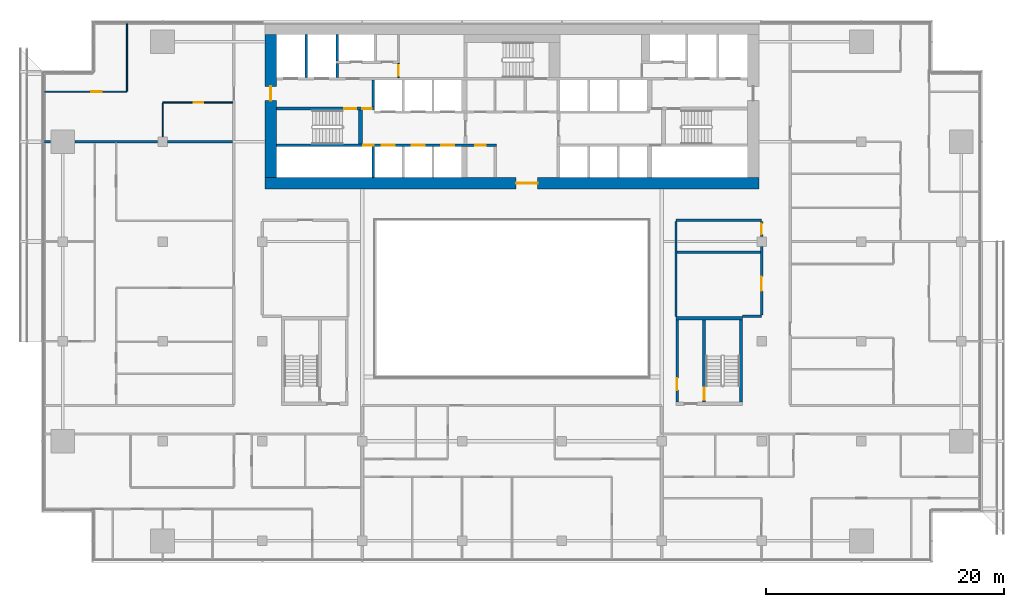
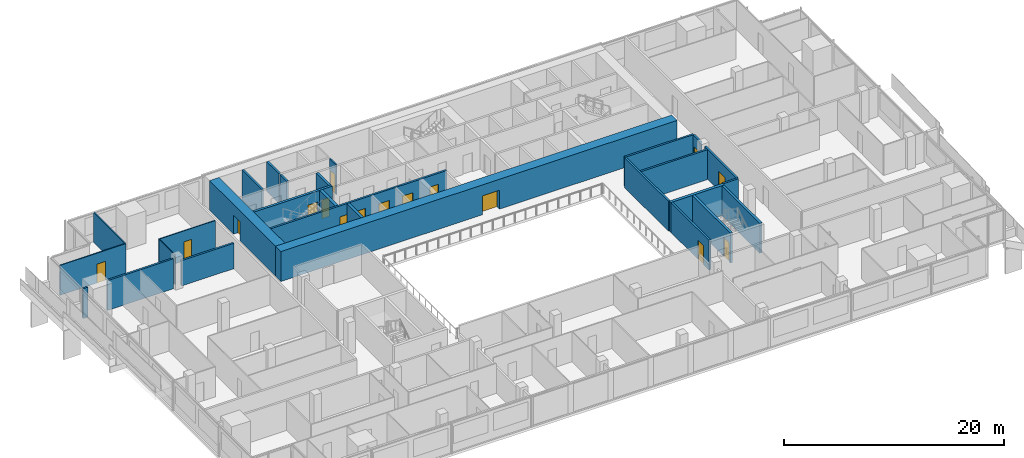
# One storey, part 18 of 25: 28 walls, 16 doors, 16 openings.
"""IFC4 building model written with IfcOpenShell, lengths in metres."""

from ifc_helpers import new_model, si_unit, direction, frame, frame_2d, origin, place, context, subcontext, project, spatial, rectangle, extrude, material, layer, layer_set, type_object, element, fill, save


model = new_model("IFC4")

# Units and contexts
model_context = context("Model", 3, precision=1e-05, world=origin(), true_north=direction((0.0, 1.0)))
body_context = subcontext(model_context, "Body", "Model", "MODEL_VIEW")
ifc_project = project(units=[si_unit("LENGTHUNIT", "METRE"), si_unit("AREAUNIT", "SQUARE_METRE"), si_unit("VOLUMEUNIT", "CUBIC_METRE"), si_unit("PLANEANGLEUNIT", "RADIAN"), si_unit("MASSUNIT", "GRAM", prefix="KILO")], contexts=[model_context])

# Site, building, storey
site_placement = place(None, origin())
site = spatial("IfcSite", under=ifc_project, at=site_placement, CompositionType="ELEMENT")
building_placement = place(site_placement, origin())
building = spatial("IfcBuilding", under=site, at=building_placement, Name="Saffron Gate Tower", CompositionType="ELEMENT")
storey_placement = place(building_placement, frame((0.0, 0.0, 131.25)))
storey = spatial("IfcBuildingStorey", under=building, at=storey_placement, Name="L31", CompositionType="ELEMENT", Elevation=131.25)

# Wall, opening, door
ifc_material_1 = material(Name="Gypsum board partition on steel studs", Category="steel")
ifc_layer_1 = layer(ifc_material_1, 0.199951171875)
ifc_layer_set_1 = layer_set([ifc_layer_1], Name="CW10 Core partition 200")
wall_type_1 = type_object("IfcWallType", Name="CW10 Core partition 200", PredefinedType="PARTITIONING", material=ifc_layer_set_1)
wall_1_placement = place(storey_placement, frame((101.5, 43.5, 0.0), z_axis=(0.0, 0.0, 1.0), x_axis=(0.0, 1.0, 0.0)))
wall_1 = element("IfcWall", 1, at=wall_1_placement, inside=storey, type_object=wall_type_1, Name="Wall CW10-L31-E-2", PredefinedType="PARTITIONING", context=body_context, shape_type="SweptSolid", body=[
    extrude(rectangle(XDim=6.89990234375, YDim=0.199951171875, at=frame_2d((3.449951171875, 0.0))), origin(), (0.0, 0.0, 1.0), 3.320068359375),
])
opening_1_placement = place(wall_1_placement, frame((1.0, 0.0, 0.0)))
opening_1 = element("IfcOpeningElement", 2, at=opening_1_placement, cuts=wall_1, Name="Opening CR-22", PredefinedType="OPENING", context=body_context, shape_type="SweptSolid", body=[
    extrude(rectangle(XDim=1.0, YDim=2.10009765625, at=frame_2d((0.5, 1.050048828125))), frame((0.0, 0.10986328125, 0.0), z_axis=(0.0, -1.0, 0.0), x_axis=(1.0, 0.0, 0.0)), (0.0, 0.0, 1.0), 0.219970703125),
])
ifc_material_2 = material(Name="Steel fire door set", Category="steel")
door_type_1 = type_object("IfcDoorType", Name="CD4 Lobby door 1000x2100 EI 120", OperationType="NOTDEFINED", PredefinedType="DOOR", material=ifc_material_2)
door_1_placement = place(opening_1_placement, origin())
door_1 = element("IfcDoor", 3, at=door_1_placement, inside=storey, type_object=door_type_1, Name="DOOR CR-22", OperationType="SINGLE_SWING_LEFT", OverallHeight=2.10009765625, OverallWidth=1.0, PredefinedType="DOOR", context=body_context, shape_type="SweptSolid", body=[
    extrude(rectangle(XDim=1.0, YDim=2.10009765625, at=frame_2d((0.5, 1.050048828125))), frame((0.0, 0.02490234375, 0.0), z_axis=(0.0, -1.0, 0.0), x_axis=(1.0, 0.0, 0.0)), (0.0, 0.0, 1.0), 0.050048828125),
])
fill(opening_1, door_1)

ifc_material_3 = material(Name="Concrete C70", Category="concrete")
ifc_layer_2 = layer(ifc_material_3, 1.0)
ifc_layer_set_2 = layer_set([ifc_layer_2], Name="CW12 RC core wall 1000 C70")
wall_type_2 = type_object("IfcWallType", Name="CW12 RC core wall 1000 C70", PredefinedType="SOLIDWALL", material=ifc_layer_set_2)
wall_2_placement = place(storey_placement, frame((66.800048828125, 61.89990234375, 0.0), z_axis=(0.0, 0.0, 1.0), x_axis=(1.0, 0.0, 0.0)))
wall_2 = element("IfcWall", 4, at=wall_2_placement, inside=storey, type_object=wall_type_2, Name="Wall CW12-L31-1", PredefinedType="SOLIDWALL", context=body_context, shape_type="SweptSolid", body=[
    extrude(rectangle(XDim=41.599853515625, YDim=1.0, at=frame_2d((20.7998046875, 0.0))), origin(), (0.0, 0.0, 1.0), 3.320068359375),
])
opening_2_placement = place(wall_2_placement, frame((21.14990234375, 0.0, 0.0)))
opening_2 = element("IfcOpeningElement", 5, at=opening_2_placement, cuts=wall_2, Name="Opening CR-09", PredefinedType="OPENING", context=body_context, shape_type="SweptSolid", body=[
    extrude(rectangle(XDim=1.800048828125, YDim=2.10009765625, at=frame_2d((0.89990234375, 1.050048828125))), frame((0.0, 0.510009765625, 0.0), z_axis=(0.0, -1.0, 0.0), x_axis=(1.0, 0.0, 0.0)), (0.0, 0.0, 1.0), 1.02001953125),
])
door_type_2 = type_object("IfcDoorType", Name="CD1 Core entrance door 1800x2100 EI 120", OperationType="NOTDEFINED", PredefinedType="DOOR", material=ifc_material_2)
door_2_placement = place(opening_2_placement, origin())
door_2 = element("IfcDoor", 6, at=door_2_placement, inside=storey, type_object=door_type_2, Name="DOOR CR-09", OperationType="DOUBLE_DOOR_SINGLE_SWING", OverallHeight=2.10009765625, OverallWidth=1.800048828125, PredefinedType="DOOR", context=body_context, shape_type="SweptSolid", body=[
    extrude(rectangle(XDim=1.800048828125, YDim=2.10009765625, at=frame_2d((0.89990234375, 1.050048828125))), frame((0.0, 0.02490234375, 0.0), z_axis=(0.0, -1.0, 0.0), x_axis=(1.0, 0.0, 0.0)), (0.0, 0.0, 1.0), 0.050048828125),
])
fill(opening_2, door_2)

wall_3_placement = place(storey_placement, frame((67.300048828125, 62.39990234375, 0.0), z_axis=(0.0, 0.0, 1.0), x_axis=(0.0, 1.0, 0.0)))
wall_3 = element("IfcWall", 7, at=wall_3_placement, inside=storey, type_object=wall_type_2, Name="Wall CW12-L31-3", PredefinedType="SOLIDWALL", context=body_context, shape_type="SweptSolid", body=[
    extrude(rectangle(XDim=12.0, YDim=1.0, at=frame_2d((6.0, 0.0))), origin(), (0.0, 0.0, 1.0), 3.320068359375),
])
opening_3_placement = place(wall_3_placement, frame((6.449951171875, 0.0, 0.0)))
opening_3 = element("IfcOpeningElement", 8, at=opening_3_placement, cuts=wall_3, Name="Opening CR-10", PredefinedType="OPENING", context=body_context, shape_type="SweptSolid", body=[
    extrude(rectangle(XDim=1.199951171875, YDim=2.10009765625, at=frame_2d((0.60009765625, 1.050048828125))), frame((0.0, 0.510009765625, 0.0), z_axis=(0.0, -1.0, 0.0), x_axis=(1.0, 0.0, 0.0)), (0.0, 0.0, 1.0), 1.02001953125),
])
door_type_3 = type_object("IfcDoorType", Name="CD7 Core entrance door 1200x2100 EI 120", OperationType="NOTDEFINED", PredefinedType="DOOR", material=ifc_material_2)
door_3_placement = place(opening_3_placement, origin())
door_3 = element("IfcDoor", 9, at=door_3_placement, inside=storey, type_object=door_type_3, Name="DOOR CR-10", OperationType="SINGLE_SWING_LEFT", OverallHeight=2.10009765625, OverallWidth=1.199951171875, PredefinedType="DOOR", context=body_context, shape_type="SweptSolid", body=[
    extrude(rectangle(XDim=1.199951171875, YDim=2.10009765625, at=frame_2d((0.60009765625, 1.050048828125))), frame((0.0, 0.02490234375, 0.0), z_axis=(0.0, -1.0, 0.0), x_axis=(1.0, 0.0, 0.0)), (0.0, 0.0, 1.0), 0.050048828125),
])
fill(opening_3, door_3)

# Wall
ifc_layer_3 = layer(ifc_material_3, 0.25)
ifc_layer_set_3 = layer_set([ifc_layer_3], Name="CW2 RC core wall 250 C70")
wall_type_3 = type_object("IfcWallType", Name="CW2 RC core wall 250 C70", PredefinedType="SOLIDWALL", material=ifc_layer_set_3)
wall_4_placement = place(storey_placement, frame((75.925048828125, 62.39990234375, 0.0), z_axis=(0.0, 0.0, 1.0), x_axis=(0.0, 1.0, 0.0)))
element("IfcWall", 10, at=wall_4_placement, inside=storey, type_object=wall_type_3, Name="Wall CW2-L31-5", PredefinedType="SOLIDWALL", context=body_context, shape_type="SweptSolid", body=[
    extrude(rectangle(XDim=2.60009765625, YDim=0.25, at=frame_2d((1.300048828125, 0.0))), origin(), (0.0, 0.0, 1.0), 3.320068359375),
])

# Wall, openings, doors
wall_5_placement = place(storey_placement, frame((67.800048828125, 68.175048828125, 0.0), z_axis=(0.0, 0.0, 1.0), x_axis=(1.0, 0.0, 0.0)))
wall_5 = element("IfcWall", 11, at=wall_5_placement, inside=storey, type_object=wall_type_3, Name="Wall CW2-L31-30", PredefinedType="SOLIDWALL", context=body_context, shape_type="SweptSolid", body=[
    extrude(rectangle(XDim=8.25, YDim=0.25, at=frame_2d((4.125, 0.0))), origin(), (0.0, 0.0, 1.0), 3.320068359375),
])
opening_4_placement = place(wall_5_placement, frame((5.699951171875, 0.0, 0.0)))
opening_4 = element("IfcOpeningElement", 12, at=opening_4_placement, cuts=wall_5, Name="Opening CR-15", PredefinedType="OPENING", context=body_context, shape_type="SweptSolid", body=[
    extrude(rectangle(XDim=1.0, YDim=2.10009765625, at=frame_2d((0.5, 1.050048828125))), frame((0.0, 0.135009765625, 0.0), z_axis=(0.0, -1.0, 0.0), x_axis=(1.0, 0.0, 0.0)), (0.0, 0.0, 1.0), 0.27001953125),
])
opening_5_placement = place(wall_5_placement, frame((7.199951171875, 0.0, 0.0)))
opening_5 = element("IfcOpeningElement", 13, at=opening_5_placement, cuts=wall_5, Name="Opening CR-06", PredefinedType="OPENING", context=body_context, shape_type="SweptSolid", body=[
    extrude(rectangle(XDim=0.800048828125, YDim=2.10009765625, at=frame_2d((0.39990234375, 1.050048828125))), frame((0.0, 0.135009765625, 0.0), z_axis=(0.0, -1.0, 0.0), x_axis=(1.0, 0.0, 0.0)), (0.0, 0.0, 1.0), 0.27001953125),
])
door_type_4 = type_object("IfcDoorType", Name="CD5 Stair door 1000x2100 EI 120", OperationType="NOTDEFINED", PredefinedType="DOOR", material=ifc_material_2)
door_4_placement = place(opening_4_placement, origin())
door_4 = element("IfcDoor", 14, at=door_4_placement, inside=storey, type_object=door_type_4, Name="DOOR CR-15", OperationType="SINGLE_SWING_RIGHT", OverallHeight=2.10009765625, OverallWidth=1.0, PredefinedType="DOOR", context=body_context, shape_type="SweptSolid", body=[
    extrude(rectangle(XDim=1.0, YDim=2.10009765625, at=frame_2d((0.5, 1.050048828125))), frame((0.0, 0.02490234375, 0.0), z_axis=(0.0, -1.0, 0.0), x_axis=(1.0, 0.0, 0.0)), (0.0, 0.0, 1.0), 0.050048828125),
])
fill(opening_4, door_4)
door_type_5 = type_object("IfcDoorType", Name="CD6 Lobby door 800x2100 EI 120", OperationType="NOTDEFINED", PredefinedType="DOOR", material=ifc_material_2)
door_5_placement = place(opening_5_placement, origin())
door_5 = element("IfcDoor", 15, at=door_5_placement, inside=storey, type_object=door_type_5, Name="DOOR CR-06", OperationType="SINGLE_SWING_LEFT", OverallHeight=2.10009765625, OverallWidth=0.800048828125, PredefinedType="DOOR", context=body_context, shape_type="SweptSolid", body=[
    extrude(rectangle(XDim=0.800048828125, YDim=2.10009765625, at=frame_2d((0.39990234375, 1.050048828125))), frame((0.0, 0.02490234375, 0.0), z_axis=(0.0, -1.0, 0.0), x_axis=(1.0, 0.0, 0.0)), (0.0, 0.0, 1.0), 0.050048828125),
])
fill(opening_5, door_5)

# Wall
wall_6_placement = place(storey_placement, frame((75.925048828125, 68.300048828125, 0.0), z_axis=(0.0, 0.0, 1.0), x_axis=(0.0, 1.0, 0.0)))
element("IfcWall", 16, at=wall_6_placement, inside=storey, type_object=wall_type_3, Name="Wall CW2-L31-32", PredefinedType="SOLIDWALL", context=body_context, shape_type="SweptSolid", body=[
    extrude(rectangle(XDim=2.300048828125, YDim=0.25, at=frame_2d((1.14990234375, 0.0))), origin(), (0.0, 0.0, 1.0), 3.320068359375),
])

# Wall, opening, door
wall_7_placement = place(storey_placement, frame((103.77490234375, 43.5, 0.0), z_axis=(0.0, 0.0, 1.0), x_axis=(0.0, 1.0, 0.0)))
wall_7 = element("IfcWall", 17, at=wall_7_placement, inside=storey, type_object=wall_type_3, Name="Wall CW2-L31-E-3", PredefinedType="SOLIDWALL", context=body_context, shape_type="SweptSolid", body=[
    extrude(rectangle(XDim=6.89990234375, YDim=0.25, at=frame_2d((3.449951171875, 0.0))), origin(), (0.0, 0.0, 1.0), 3.320068359375),
])
opening_6_placement = place(wall_7_placement, frame((0.199951171875, 0.0, 0.0)))
opening_6 = element("IfcOpeningElement", 18, at=opening_6_placement, cuts=wall_7, Name="Opening CR-23", PredefinedType="OPENING", context=body_context, shape_type="SweptSolid", body=[
    extrude(rectangle(XDim=1.0, YDim=2.10009765625, at=frame_2d((0.5, 1.050048828125))), frame((0.0, 0.135009765625, 0.0), z_axis=(0.0, -1.0, 0.0), x_axis=(1.0, 0.0, 0.0)), (0.0, 0.0, 1.0), 0.27001953125),
])
door_6_placement = place(opening_6_placement, origin())
door_6 = element("IfcDoor", 19, at=door_6_placement, inside=storey, type_object=door_type_4, Name="DOOR CR-23", OperationType="SINGLE_SWING_RIGHT", OverallHeight=2.10009765625, OverallWidth=1.0, PredefinedType="DOOR", context=body_context, shape_type="SweptSolid", body=[
    extrude(rectangle(XDim=1.0, YDim=2.10009765625, at=frame_2d((0.5, 1.050048828125))), frame((0.0, 0.02490234375, 0.0), z_axis=(0.0, -1.0, 0.0), x_axis=(1.0, 0.0, 0.0)), (0.0, 0.0, 1.0), 0.050048828125),
])
fill(opening_6, door_6)

# Wall
wall_8_placement = place(storey_placement, frame((106.875, 43.5, 0.0), z_axis=(0.0, 0.0, 1.0), x_axis=(0.0, 1.0, 0.0)))
element("IfcWall", 20, at=wall_8_placement, inside=storey, type_object=wall_type_3, Name="Wall CW2-L31-E-4", PredefinedType="SOLIDWALL", context=body_context, shape_type="SweptSolid", body=[
    extrude(rectangle(XDim=6.89990234375, YDim=0.25, at=frame_2d((3.449951171875, 0.0))), origin(), (0.0, 0.0, 1.0), 3.320068359375),
])

# Wall, openings, doors
ifc_layer_4 = layer(ifc_material_3, 0.199951171875)
ifc_layer_set_4 = layer_set([ifc_layer_4], Name="CW3 RC core wall 200 C70")
wall_type_4 = type_object("IfcWallType", Name="CW3 RC core wall 200 C70", PredefinedType="SOLIDWALL", material=ifc_layer_set_4)
wall_9_placement = place(storey_placement, frame((67.800048828125, 65.10009765625, 0.0), z_axis=(0.0, 0.0, 1.0), x_axis=(1.0, 0.0, 0.0)))
wall_9 = element("IfcWall", 21, at=wall_9_placement, inside=storey, type_object=wall_type_4, Name="Wall CW3-L31-14", PredefinedType="SOLIDWALL", context=body_context, shape_type="SweptSolid", body=[
    extrude(rectangle(XDim=18.5, YDim=0.199951171875, at=frame_2d((9.25, 0.0))), origin(), (0.0, 0.0, 1.0), 3.320068359375),
])
opening_7_placement = place(wall_9_placement, frame((7.27001953125, 0.0, 0.0)))
opening_7 = element("IfcOpeningElement", 22, at=opening_7_placement, cuts=wall_9, Name="Opening CR-49", PredefinedType="OPENING", context=body_context, shape_type="SweptSolid", body=[
    extrude(rectangle(XDim=0.89990234375, YDim=2.10009765625, at=frame_2d((0.449951171875, 1.050048828125))), frame((0.0, 0.10986328125, 0.0), z_axis=(0.0, -1.0, 0.0), x_axis=(1.0, 0.0, 0.0)), (0.0, 0.0, 1.0), 0.219970703125),
])
opening_8_placement = place(wall_9_placement, frame((8.85009765625, 0.0, 0.0)))
opening_8 = element("IfcOpeningElement", 23, at=opening_8_placement, cuts=wall_9, Name="Opening LD-LR1", PredefinedType="OPENING", context=body_context, shape_type="SweptSolid", body=[
    extrude(rectangle(XDim=1.10009765625, YDim=2.10009765625, at=frame_2d((0.550048828125, 1.050048828125))), frame((0.0, 0.10986328125, 0.0), z_axis=(0.0, -1.0, 0.0), x_axis=(1.0, 0.0, 0.0)), (0.0, 0.0, 1.0), 0.219970703125),
])
opening_9_placement = place(wall_9_placement, frame((11.35009765625, 0.0, 0.0)))
opening_9 = element("IfcOpeningElement", 24, at=opening_9_placement, cuts=wall_9, Name="Opening LD-LR2", PredefinedType="OPENING", context=body_context, shape_type="SweptSolid", body=[
    extrude(rectangle(XDim=1.10009765625, YDim=2.10009765625, at=frame_2d((0.550048828125, 1.050048828125))), frame((0.0, 0.10986328125, 0.0), z_axis=(0.0, -1.0, 0.0), x_axis=(1.0, 0.0, 0.0)), (0.0, 0.0, 1.0), 0.219970703125),
])
opening_10_placement = place(wall_9_placement, frame((13.85009765625, 0.0, 0.0)))
opening_10 = element("IfcOpeningElement", 25, at=opening_10_placement, cuts=wall_9, Name="Opening LD-LR3", PredefinedType="OPENING", context=body_context, shape_type="SweptSolid", body=[
    extrude(rectangle(XDim=1.10009765625, YDim=2.10009765625, at=frame_2d((0.550048828125, 1.050048828125))), frame((0.0, 0.10986328125, 0.0), z_axis=(0.0, -1.0, 0.0), x_axis=(1.0, 0.0, 0.0)), (0.0, 0.0, 1.0), 0.219970703125),
])
opening_11_placement = place(wall_9_placement, frame((16.699951171875, 0.0, 0.0)))
opening_11 = element("IfcOpeningElement", 26, at=opening_11_placement, cuts=wall_9, Name="Opening CR-69", PredefinedType="OPENING", context=body_context, shape_type="SweptSolid", body=[
    extrude(rectangle(XDim=0.89990234375, YDim=2.10009765625, at=frame_2d((0.449951171875, 1.050048828125))), frame((0.0, 0.10986328125, 0.0), z_axis=(0.0, -1.0, 0.0), x_axis=(1.0, 0.0, 0.0)), (0.0, 0.0, 1.0), 0.219970703125),
])
door_type_6 = type_object("IfcDoorType", Name="CD2 Riser door 900x2100 EI 60", OperationType="NOTDEFINED", PredefinedType="DOOR", material=ifc_material_2)
door_7_placement = place(opening_7_placement, origin())
door_7 = element("IfcDoor", 27, at=door_7_placement, inside=storey, type_object=door_type_6, Name="DOOR CR-49", OperationType="SINGLE_SWING_LEFT", OverallHeight=2.10009765625, OverallWidth=0.89990234375, PredefinedType="DOOR", context=body_context, shape_type="SweptSolid", body=[
    extrude(rectangle(XDim=0.89990234375, YDim=2.10009765625, at=frame_2d((0.449951171875, 1.050048828125))), frame((0.0, 0.02490234375, 0.0), z_axis=(0.0, -1.0, 0.0), x_axis=(1.0, 0.0, 0.0)), (0.0, 0.0, 1.0), 0.050048828125),
])
fill(opening_7, door_7)
door_type_7 = type_object("IfcDoorType", Name="CD9 Room door 900x2100 EI 60", OperationType="NOTDEFINED", PredefinedType="DOOR", material=ifc_material_2)
door_8_placement = place(opening_11_placement, origin())
door_8 = element("IfcDoor", 28, at=door_8_placement, inside=storey, type_object=door_type_7, Name="DOOR CR-69", OperationType="SINGLE_SWING_RIGHT", OverallHeight=2.10009765625, OverallWidth=0.89990234375, PredefinedType="DOOR", context=body_context, shape_type="SweptSolid", body=[
    extrude(rectangle(XDim=0.89990234375, YDim=2.10009765625, at=frame_2d((0.449951171875, 1.050048828125))), frame((0.0, 0.02490234375, 0.0), z_axis=(0.0, -1.0, 0.0), x_axis=(1.0, 0.0, 0.0)), (0.0, 0.0, 1.0), 0.050048828125),
])
fill(opening_11, door_8)
ifc_material_4 = material(Name="Stainless steel landing door", Category="steel")
door_type_8 = type_object("IfcDoorType", Name="LD Lift landing door 1100x2100 EI 120", OperationType="SLIDING_TO_LEFT", PredefinedType="DOOR", material=ifc_material_4)
door_9_placement = place(opening_8_placement, origin())
door_9 = element("IfcDoor", 29, at=door_9_placement, inside=storey, type_object=door_type_8, Name="LANDING DOOR LD-LR1", OperationType="SLIDING_TO_LEFT", OverallHeight=2.10009765625, OverallWidth=1.10009765625, PredefinedType="DOOR", context=body_context, shape_type="SweptSolid", body=[
    extrude(rectangle(XDim=1.10009765625, YDim=2.10009765625, at=frame_2d((0.550048828125, 1.050048828125))), frame((0.0, 0.02490234375, 0.0), z_axis=(0.0, -1.0, 0.0), x_axis=(1.0, 0.0, 0.0)), (0.0, 0.0, 1.0), 0.050048828125),
])
fill(opening_8, door_9)
door_10_placement = place(opening_9_placement, origin())
door_10 = element("IfcDoor", 30, at=door_10_placement, inside=storey, type_object=door_type_8, Name="LANDING DOOR LD-LR2", OperationType="SLIDING_TO_LEFT", OverallHeight=2.10009765625, OverallWidth=1.10009765625, PredefinedType="DOOR", context=body_context, shape_type="SweptSolid", body=[
    extrude(rectangle(XDim=1.10009765625, YDim=2.10009765625, at=frame_2d((0.550048828125, 1.050048828125))), frame((0.0, 0.02490234375, 0.0), z_axis=(0.0, -1.0, 0.0), x_axis=(1.0, 0.0, 0.0)), (0.0, 0.0, 1.0), 0.050048828125),
])
fill(opening_9, door_10)
door_11_placement = place(opening_10_placement, origin())
door_11 = element("IfcDoor", 31, at=door_11_placement, inside=storey, type_object=door_type_8, Name="LANDING DOOR LD-LR3", OperationType="SLIDING_TO_LEFT", OverallHeight=2.10009765625, OverallWidth=1.10009765625, PredefinedType="DOOR", context=body_context, shape_type="SweptSolid", body=[
    extrude(rectangle(XDim=1.10009765625, YDim=2.10009765625, at=frame_2d((0.550048828125, 1.050048828125))), frame((0.0, 0.02490234375, 0.0), z_axis=(0.0, -1.0, 0.0), x_axis=(1.0, 0.0, 0.0)), (0.0, 0.0, 1.0), 0.050048828125),
])
fill(opening_10, door_11)

# Walls
wall_10_placement = place(storey_placement, frame((70.300048828125, 70.800048828125, 0.0), z_axis=(0.0, 0.0, 1.0), x_axis=(0.0, 1.0, 0.0)))
element("IfcWall", 32, at=wall_10_placement, inside=storey, type_object=wall_type_4, Name="Wall CW3-L31-35", PredefinedType="SOLIDWALL", context=body_context, shape_type="SweptSolid", body=[
    extrude(rectangle(XDim=3.599853515625, YDim=0.199951171875, at=frame_2d((1.7998046875, 0.0))), origin(), (0.0, 0.0, 1.0), 3.320068359375),
])
wall_11_placement = place(storey_placement, frame((72.89990234375, 70.800048828125, 0.0), z_axis=(0.0, 0.0, 1.0), x_axis=(0.0, 1.0, 0.0)))
element("IfcWall", 33, at=wall_11_placement, inside=storey, type_object=wall_type_4, Name="Wall CW3-L31-36", PredefinedType="SOLIDWALL", context=body_context, shape_type="SweptSolid", body=[
    extrude(rectangle(XDim=1.199951171875, YDim=0.199951171875, at=frame_2d((0.60009765625, 0.0))), origin(), (0.0, 0.0, 1.0), 3.320068359375),
])
wall_12_placement = place(storey_placement, frame((72.89990234375, 72.199951171875, 0.0), z_axis=(0.0, 0.0, 1.0), x_axis=(0.0, 1.0, 0.0)))
element("IfcWall", 34, at=wall_12_placement, inside=storey, type_object=wall_type_4, Name="Wall CW3-L31-45", PredefinedType="SOLIDWALL", context=body_context, shape_type="SweptSolid", body=[
    extrude(rectangle(XDim=2.199951171875, YDim=0.199951171875, at=frame_2d((1.10009765625, 0.0))), origin(), (0.0, 0.0, 1.0), 3.320068359375),
])
ifc_layer_5 = layer(ifc_material_3, 0.300048828125)
ifc_layer_set_5 = layer_set([ifc_layer_5], Name="CW5 RC core wall 300 C70")
wall_type_5 = type_object("IfcWallType", Name="CW5 RC core wall 300 C70", PredefinedType="SOLIDWALL", material=ifc_layer_set_5)
wall_13_placement = place(storey_placement, frame((74.85009765625, 65.199951171875, 0.0), z_axis=(0.0, 0.0, 1.0), x_axis=(0.0, 1.0, 0.0)))
element("IfcWall", 35, at=wall_13_placement, inside=storey, type_object=wall_type_5, Name="Wall CW5-L31-16", PredefinedType="SOLIDWALL", context=body_context, shape_type="SweptSolid", body=[
    extrude(rectangle(XDim=2.85009765625, YDim=0.300048828125, at=frame_2d((1.425048828125, 0.0))), origin(), (0.0, 0.0, 1.0), 3.320068359375),
])
wall_14_placement = place(storey_placement, frame((101.39990234375, 50.550048828125, 0.0), z_axis=(0.0, 0.0, 1.0), x_axis=(1.0, 0.0, 0.0)))
element("IfcWall", 36, at=wall_14_placement, inside=storey, type_object=wall_type_5, Name="Wall CW5-L31-E-5", PredefinedType="SOLIDWALL", context=body_context, shape_type="SweptSolid", body=[
    extrude(rectangle(XDim=5.60009765625, YDim=0.300048828125, at=frame_2d((2.800048828125, 0.0))), origin(), (0.0, 0.0, 1.0), 3.320068359375),
])

# Wall, opening, door
ifc_layer_6 = layer(ifc_material_1, 0.1201171875)
ifc_layer_set_6 = layer_set([ifc_layer_6], Name="CW8 Core partition 120")
wall_type_6 = type_object("IfcWallType", Name="CW8 Core partition 120", PredefinedType="PARTITIONING", material=ifc_layer_set_6)
wall_15_placement = place(storey_placement, frame((78.06005859375, 70.800048828125, 0.0), z_axis=(0.0, 0.0, 1.0), x_axis=(0.0, 1.0, 0.0)))
wall_15 = element("IfcWall", 37, at=wall_15_placement, inside=storey, type_object=wall_type_6, Name="Wall CW8-L31-37", PredefinedType="PARTITIONING", context=body_context, shape_type="SweptSolid", body=[
    extrude(rectangle(XDim=1.199951171875, YDim=0.1201171875, at=frame_2d((0.60009765625, 0.0))), origin(), (0.0, 0.0, 1.0), 3.320068359375),
])
opening_12_placement = place(wall_15_placement, frame((0.14990234375, 0.0, 0.0)))
opening_12 = element("IfcOpeningElement", 38, at=opening_12_placement, cuts=wall_15, Name="Opening CR-60", PredefinedType="OPENING", context=body_context, shape_type="SweptSolid", body=[
    extrude(rectangle(XDim=0.89990234375, YDim=2.10009765625, at=frame_2d((0.449951171875, 1.050048828125))), frame((0.0, 0.070068359375, 0.0), z_axis=(0.0, -1.0, 0.0), x_axis=(1.0, 0.0, 0.0)), (0.0, 0.0, 1.0), 0.14013671875),
])
door_12_placement = place(opening_12_placement, origin())
door_12 = element("IfcDoor", 39, at=door_12_placement, inside=storey, type_object=door_type_7, Name="DOOR CR-60", OperationType="SINGLE_SWING_RIGHT", OverallHeight=2.10009765625, OverallWidth=0.89990234375, PredefinedType="DOOR", context=body_context, shape_type="SweptSolid", body=[
    extrude(rectangle(XDim=0.89990234375, YDim=2.10009765625, at=frame_2d((0.449951171875, 1.050048828125))), frame((0.0, 0.02490234375, 0.0), z_axis=(0.0, -1.0, 0.0), x_axis=(1.0, 0.0, 0.0)), (0.0, 0.0, 1.0), 0.050048828125),
])
fill(opening_12, door_12)

ifc_material_5 = material(Name="Plasterboard on steel studs", Category="steel")
ifc_layer_7 = layer(ifc_material_5, 0.10009765625)
ifc_layer_set_7 = layer_set([ifc_layer_7], Name="PW1 Partition 100")
wall_type_7 = type_object("IfcWallType", Name="PW1 Partition 100", PredefinedType="PARTITIONING", material=ifc_layer_set_7)
wall_16_placement = place(storey_placement, frame((64.10009765625, 68.699951171875, 0.0), z_axis=(0.0, 0.0, 1.0), x_axis=(-1.0, 0.0, 0.0)))
wall_16 = element("IfcWall", 40, at=wall_16_placement, inside=storey, type_object=wall_type_7, Name="Partition B4-49", PredefinedType="PARTITIONING", context=body_context, shape_type="SweptSolid", body=[
    extrude(rectangle(XDim=5.900146484375, YDim=0.10009765625, at=frame_2d((2.9501953125, 0.0))), origin(), (0.0, 0.0, 1.0), 3.320068359375),
])
opening_13_placement = place(wall_16_placement, frame((2.5, 0.0, 0.0)))
opening_13 = element("IfcOpeningElement", 41, at=opening_13_placement, cuts=wall_16, Name="Opening B4-44", PredefinedType="OPENING", context=body_context, shape_type="SweptSolid", body=[
    extrude(rectangle(XDim=0.800048828125, YDim=2.10009765625, at=frame_2d((0.39990234375, 1.050048828125))), frame((0.0, 0.06005859375, 0.0), z_axis=(0.0, -1.0, 0.0), x_axis=(1.0, 0.0, 0.0)), (0.0, 0.0, 1.0), 0.1201171875),
])
ifc_material_6 = material(Name="Timber door set", Category="wood")
door_type_9 = type_object("IfcDoorType", Name="RD2 Bathroom door 800x2100", OperationType="NOTDEFINED", PredefinedType="DOOR", material=ifc_material_6)
door_13_placement = place(opening_13_placement, origin())
door_13 = element("IfcDoor", 42, at=door_13_placement, inside=storey, type_object=door_type_9, Name="Door B4-44", OperationType="SINGLE_SWING_LEFT", OverallHeight=2.10009765625, OverallWidth=0.800048828125, PredefinedType="DOOR", context=body_context, shape_type="SweptSolid", body=[
    extrude(rectangle(XDim=0.800048828125, YDim=2.10009765625, at=frame_2d((0.39990234375, 1.050048828125))), frame((0.0, 0.02490234375, 0.0), z_axis=(0.0, -1.0, 0.0), x_axis=(1.0, 0.0, 0.0)), (0.0, 0.0, 1.0), 0.050048828125),
])
fill(opening_13, door_13)

wall_17_placement = place(storey_placement, frame((48.280029296875, 69.60009765625, 0.0), z_axis=(0.0, 0.0, 1.0), x_axis=(1.0, 0.0, 0.0)))
wall_17 = element("IfcWall", 43, at=wall_17_placement, inside=storey, type_object=wall_type_7, Name="Partition B4-50", PredefinedType="PARTITIONING", context=body_context, shape_type="SweptSolid", body=[
    extrude(rectangle(XDim=6.919921875, YDim=0.10009765625, at=frame_2d((3.4599609375, 0.0))), origin(), (0.0, 0.0, 1.0), 3.320068359375),
])
opening_14_placement = place(wall_17_placement, frame((3.9052734375, 0.0, 0.0)))
opening_14 = element("IfcOpeningElement", 44, at=opening_14_placement, cuts=wall_17, Name="Opening B4-27", PredefinedType="OPENING", context=body_context, shape_type="SweptSolid", body=[
    extrude(rectangle(XDim=0.89990234375, YDim=2.10009765625, at=frame_2d((0.449951171875, 1.050048828125))), frame((0.0, 0.06005859375, 0.0), z_axis=(0.0, -1.0, 0.0), x_axis=(1.0, 0.0, 0.0)), (0.0, 0.0, 1.0), 0.1201171875),
])
door_type_10 = type_object("IfcDoorType", Name="RD1 Room door 900x2100", OperationType="NOTDEFINED", PredefinedType="DOOR", material=ifc_material_6)
door_14_placement = place(opening_14_placement, origin())
door_14 = element("IfcDoor", 45, at=door_14_placement, inside=storey, type_object=door_type_10, Name="Door B4-27", OperationType="SINGLE_SWING_RIGHT", OverallHeight=2.10009765625, OverallWidth=0.89990234375, PredefinedType="DOOR", context=body_context, shape_type="SweptSolid", body=[
    extrude(rectangle(XDim=0.89990234375, YDim=2.10009765625, at=frame_2d((0.449951171875, 1.050048828125))), frame((0.0, 0.02490234375, 0.0), z_axis=(0.0, -1.0, 0.0), x_axis=(1.0, 0.0, 0.0)), (0.0, 0.0, 1.0), 0.050048828125),
])
fill(opening_14, door_14)

# Walls
wall_18_placement = place(storey_placement, frame((55.199951171875, 75.320068359375, 0.0), z_axis=(0.0, 0.0, 1.0), x_axis=(0.0, -1.0, 0.0)))
element("IfcWall", 46, at=wall_18_placement, inside=storey, type_object=wall_type_7, Name="Partition B4-57", PredefinedType="PARTITIONING", context=body_context, shape_type="SweptSolid", body=[
    extrude(rectangle(XDim=5.670166015625, YDim=0.10009765625, at=frame_2d((2.8349609375, 0.0))), origin(), (0.0, 0.0, 1.0), 3.320068359375),
])
wall_19_placement = place(storey_placement, frame((58.199951171875, 68.64990234375, 0.0), z_axis=(0.0, 0.0, 1.0), x_axis=(0.0, -1.0, 0.0)))
element("IfcWall", 47, at=wall_19_placement, inside=storey, type_object=wall_type_7, Name="Partition B4-61", PredefinedType="PARTITIONING", context=body_context, shape_type="SweptSolid", body=[
    extrude(rectangle(XDim=2.829833984375, YDim=0.10009765625, at=frame_2d((1.4150390625, 0.0))), origin(), (0.0, 0.0, 1.0), 3.320068359375),
])
ifc_material_7 = material(Name="Clay brick masonry, rendered", Category="masonry")
ifc_layer_8 = layer(ifc_material_7, 0.199951171875)
ifc_layer_set_8 = layer_set([ifc_layer_8], Name="PW2 Demising wall 200")
wall_type_8 = type_object("IfcWallType", Name="PW2 Demising wall 200", PredefinedType="PARTITIONING", material=ifc_layer_set_8)
wall_20_placement = place(storey_placement, frame((48.280029296875, 65.39990234375, 0.0), z_axis=(0.0, 0.0, 1.0), x_axis=(1.0, 0.0, 0.0)))
element("IfcWall", 48, at=wall_20_placement, inside=storey, type_object=wall_type_8, Name="Wall B4-44", PredefinedType="PARTITIONING", context=body_context, shape_type="SweptSolid", body=[
    extrude(rectangle(XDim=0.5, YDim=0.199951171875, at=frame_2d((0.25, 0.0))), origin(), (0.0, 0.0, 1.0), 3.320068359375),
])
wall_21_placement = place(storey_placement, frame((50.820068359375, 65.39990234375, 0.0), z_axis=(0.0, 0.0, 1.0), x_axis=(1.0, 0.0, 0.0)))
element("IfcWall", 49, at=wall_21_placement, inside=storey, type_object=wall_type_8, Name="Wall B4-45", PredefinedType="PARTITIONING", context=body_context, shape_type="SweptSolid", body=[
    extrude(rectangle(XDim=6.9599609375, YDim=0.199951171875, at=frame_2d((3.47998046875, 0.0))), origin(), (0.0, 0.0, 1.0), 3.320068359375),
])
wall_22_placement = place(storey_placement, frame((58.6201171875, 65.39990234375, 0.0), z_axis=(0.0, 0.0, 1.0), x_axis=(1.0, 0.0, 0.0)))
element("IfcWall", 50, at=wall_22_placement, inside=storey, type_object=wall_type_8, Name="Wall B4-46", PredefinedType="PARTITIONING", context=body_context, shape_type="SweptSolid", body=[
    extrude(rectangle(XDim=5.47998046875, YDim=0.199951171875, at=frame_2d((2.739990234375, 0.0))), origin(), (0.0, 0.0, 1.0), 2.820068359375),
])
ifc_layer_9 = layer(ifc_material_7, 0.199951171875)
ifc_layer_set_9 = layer_set([ifc_layer_9], Name="PW3 Corridor wall 200")
wall_type_9 = type_object("IfcWallType", Name="PW3 Corridor wall 200", PredefinedType="PARTITIONING", material=ifc_layer_set_9)
wall_23_placement = place(storey_placement, frame((107.0, 50.699951171875, 0.0), z_axis=(0.0, 0.0, 1.0), x_axis=(1.0, 0.0, 0.0)))
element("IfcWall", 51, at=wall_23_placement, inside=storey, type_object=wall_type_9, Name="Wall B4-29", PredefinedType="PARTITIONING", context=body_context, shape_type="SweptSolid", body=[
    extrude(rectangle(XDim=1.60009765625, YDim=0.199951171875, at=frame_2d((0.800048828125, 0.0))), origin(), (0.0, 0.0, 1.0), 3.320068359375),
])
wall_24_placement = place(storey_placement, frame((101.39990234375, 58.800048828125, 0.0), z_axis=(0.0, 0.0, 1.0), x_axis=(1.0, 0.0, 0.0)))
element("IfcWall", 52, at=wall_24_placement, inside=storey, type_object=wall_type_9, Name="Wall B4-40", PredefinedType="PARTITIONING", context=body_context, shape_type="SweptSolid", body=[
    extrude(rectangle(XDim=7.2001953125, YDim=0.199951171875, at=frame_2d((3.60009765625, 0.0))), origin(), (0.0, 0.0, 1.0), 3.320068359375),
])
wall_25_placement = place(storey_placement, frame((101.39990234375, 58.699951171875, 0.0), z_axis=(0.0, 0.0, 1.0), x_axis=(0.0, -1.0, 0.0)))
element("IfcWall", 53, at=wall_25_placement, inside=storey, type_object=wall_type_9, Name="Wall B4-85", PredefinedType="PARTITIONING", context=body_context, shape_type="SweptSolid", body=[
    extrude(rectangle(XDim=8.0, YDim=0.199951171875, at=frame_2d((4.0, 0.0))), origin(), (0.0, 0.0, 1.0), 3.320068359375),
])

# Wall, opening, door
wall_26_placement = place(storey_placement, frame((108.60009765625, 50.800048828125, 0.0), z_axis=(0.0, 0.0, 1.0), x_axis=(0.0, 1.0, 0.0)))
wall_26 = element("IfcWall", 54, at=wall_26_placement, inside=storey, type_object=wall_type_9, Name="Wall B4-87", PredefinedType="PARTITIONING", context=body_context, shape_type="SweptSolid", body=[
    extrude(rectangle(XDim=5.780029296875, YDim=0.199951171875, at=frame_2d((2.89013671875, 0.0))), origin(), (0.0, 0.0, 1.0), 3.320068359375),
])
opening_15_placement = place(wall_26_placement, frame((2.050048828125, 0.0, 0.0)))
opening_15 = element("IfcOpeningElement", 55, at=opening_15_placement, cuts=wall_26, Name="Opening B4-48", PredefinedType="OPENING", context=body_context, shape_type="SweptSolid", body=[
    extrude(rectangle(XDim=1.199951171875, YDim=2.10009765625, at=frame_2d((0.60009765625, 1.050048828125))), frame((0.0, 0.10986328125, 0.0), z_axis=(0.0, -1.0, 0.0), x_axis=(1.0, 0.0, 0.0)), (0.0, 0.0, 1.0), 0.219970703125),
])
door_type_11 = type_object("IfcDoorType", Name="HD1 Hall door 1200x2100", OperationType="NOTDEFINED", PredefinedType="DOOR", material=ifc_material_6)
door_15_placement = place(opening_15_placement, origin())
door_15 = element("IfcDoor", 56, at=door_15_placement, inside=storey, type_object=door_type_11, Name="Door B4-48", OperationType="SINGLE_SWING_RIGHT", OverallHeight=2.10009765625, OverallWidth=1.199951171875, PredefinedType="DOOR", context=body_context, shape_type="SweptSolid", body=[
    extrude(rectangle(XDim=1.199951171875, YDim=2.10009765625, at=frame_2d((0.60009765625, 1.050048828125))), frame((0.0, 0.02490234375, 0.0), z_axis=(0.0, -1.0, 0.0), x_axis=(1.0, 0.0, 0.0)), (0.0, 0.0, 1.0), 0.050048828125),
])
fill(opening_15, door_15)

wall_27_placement = place(storey_placement, frame((108.60009765625, 57.419921875, 0.0), z_axis=(0.0, 0.0, 1.0), x_axis=(0.0, 1.0, 0.0)))
wall_27 = element("IfcWall", 57, at=wall_27_placement, inside=storey, type_object=wall_type_9, Name="Wall B4-88", PredefinedType="PARTITIONING", context=body_context, shape_type="SweptSolid", body=[
    extrude(rectangle(XDim=1.280029296875, YDim=0.199951171875, at=frame_2d((0.64013671875, 0.0))), origin(), (0.0, 0.0, 1.0), 3.320068359375),
])
opening_16_placement = place(wall_27_placement, frame((0.18994140625, 0.0, 0.0)))
opening_16 = element("IfcOpeningElement", 58, at=opening_16_placement, cuts=wall_27, Name="Opening B4-35", PredefinedType="OPENING", context=body_context, shape_type="SweptSolid", body=[
    extrude(rectangle(XDim=0.89990234375, YDim=2.10009765625, at=frame_2d((0.449951171875, 1.050048828125))), frame((0.0, 0.10986328125, 0.0), z_axis=(0.0, -1.0, 0.0), x_axis=(1.0, 0.0, 0.0)), (0.0, 0.0, 1.0), 0.219970703125),
])
door_16_placement = place(opening_16_placement, origin())
door_16 = element("IfcDoor", 59, at=door_16_placement, inside=storey, type_object=door_type_10, Name="Door B4-35", OperationType="SINGLE_SWING_RIGHT", OverallHeight=2.10009765625, OverallWidth=0.89990234375, PredefinedType="DOOR", context=body_context, shape_type="SweptSolid", body=[
    extrude(rectangle(XDim=0.89990234375, YDim=2.10009765625, at=frame_2d((0.449951171875, 1.050048828125))), frame((0.0, 0.02490234375, 0.0), z_axis=(0.0, -1.0, 0.0), x_axis=(1.0, 0.0, 0.0)), (0.0, 0.0, 1.0), 0.050048828125),
])
fill(opening_16, door_16)

# Wall
ifc_layer_10 = layer(ifc_material_7, 0.199951171875)
ifc_layer_set_10 = layer_set([ifc_layer_10], Name="PW5 Room wall 200")
wall_type_10 = type_object("IfcWallType", Name="PW5 Room wall 200", PredefinedType="PARTITIONING", material=ifc_layer_set_10)
wall_28_placement = place(storey_placement, frame((101.5, 56.10009765625, 0.0), z_axis=(0.0, 0.0, 1.0), x_axis=(1.0, 0.0, 0.0)))
element("IfcWall", 60, at=wall_28_placement, inside=storey, type_object=wall_type_10, Name="Wall B4-32", PredefinedType="PARTITIONING", context=body_context, shape_type="SweptSolid", body=[
    extrude(rectangle(XDim=7.0, YDim=0.199951171875, at=frame_2d((3.5, 0.0))), origin(), (0.0, 0.0, 1.0), 3.320068359375),
])

save(model, "model.ifc")
